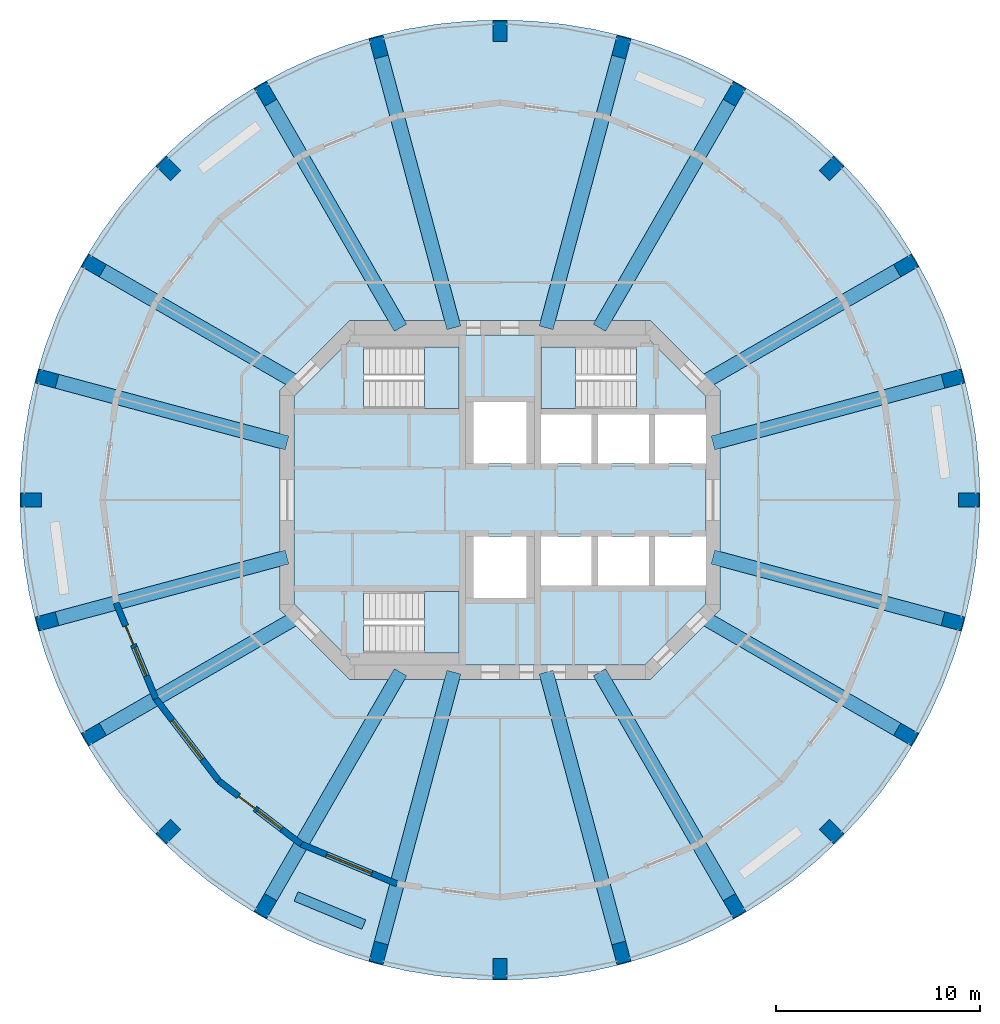
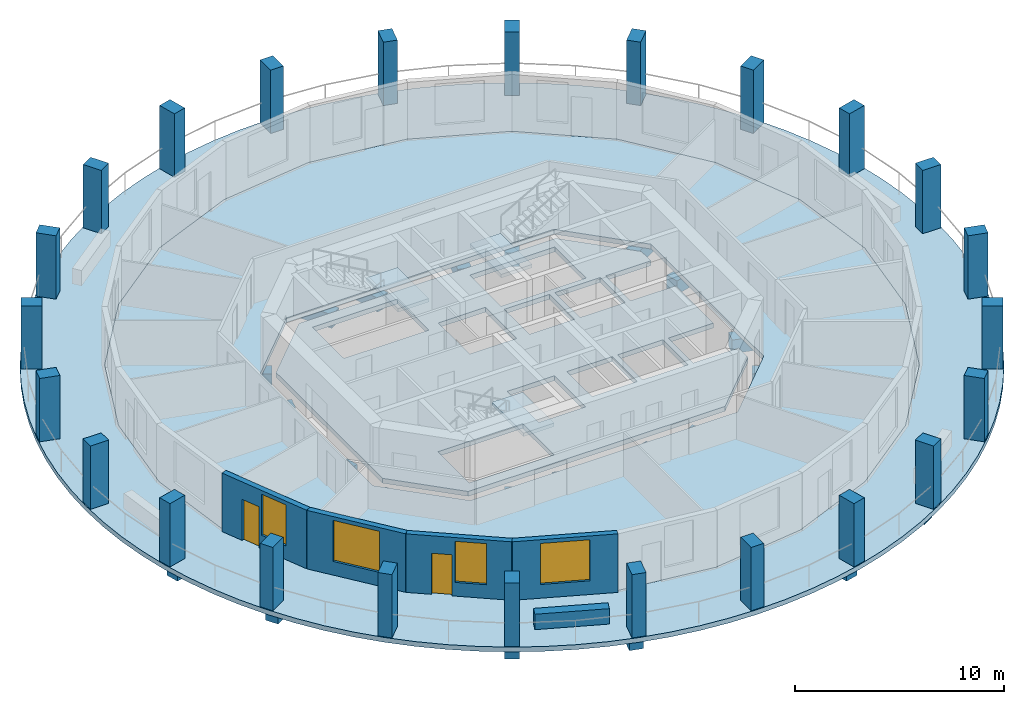
# One storey, part 1 of 8: 24 columns, 16 beams, 6 slabs, 5 walls, 4 windows, 2 doors, 6 openings, 3 elements without a shape of their own.
"""IFC4 building model written with IfcOpenShell, lengths in metres."""

from ifc_helpers import new_model, si_unit, direction, frame, frame_2d, origin, origin_2d, place, context, subcontext, project, spatial, polyline, rectangle, outline, extrude, material, layer, layer_set, material_profile, profile_set, type_object, element, fill, aggregate, save


model = new_model("IFC4")

# Units and contexts
model_context = context("Model", 3, precision=1e-05, world=origin(), true_north=direction((0.0, 1.0)))
body_context = subcontext(model_context, "Body", "Model", "MODEL_VIEW")
ifc_project = project(units=[si_unit("LENGTHUNIT", "METRE"), si_unit("AREAUNIT", "SQUARE_METRE"), si_unit("VOLUMEUNIT", "CUBIC_METRE"), si_unit("PLANEANGLEUNIT", "RADIAN"), si_unit("MASSUNIT", "GRAM", prefix="KILO")], contexts=[model_context])

# Site, building, storey
site_placement = place(None, origin())
site = spatial("IfcSite", under=ifc_project, at=site_placement, CompositionType="ELEMENT")
building_placement = place(site_placement, origin())
building = spatial("IfcBuilding", under=site, at=building_placement, Name="Torre Triforio", CompositionType="ELEMENT")
storey_placement = place(building_placement, frame((0.0, 0.0, 192.800048828125)))
storey = spatial("IfcBuildingStorey", under=building, at=storey_placement, Name="L43", CompositionType="ELEMENT", Elevation=192.800048828125)

# Columns
ifc_material_1 = material(Name="Concrete C50", Category="concrete")
ifc_material_profile_1 = material_profile(ifc_material_1, rectangle(XDim=0.699951171875, YDim=1.0, at=origin_2d()), Name="RC 700x1000")
ifc_profile_set_1 = profile_set([ifc_material_profile_1], Name="Concrete C50")
column_type = type_object("IfcColumnType", Name="Pier RC 700x1000 C50", PredefinedType="COLUMN", material=ifc_profile_set_1)
for number, where, z_axis, x_axis, name in (
    (1, (23.0, 0.0, 0.0), (0.0, 0.0, 1.0), (0.0, 1.0, 0.0), "COL.R.L43.00"),
    (2, (22.21630859375, 5.952880859375, 0.0), (0.0, 0.0, 1.0), (-0.258819045103, 0.965925826289, 0.0), "COL.R.L43.01"),
    (3, (19.918701171875, 11.5, 0.0), (0.0, 0.0, 1.0), (-0.5, 0.866025403784, 0.0), "COL.R.L43.02"),
    (4, (16.263427734375, 16.263427734375, 0.0), (0.0, 0.0, 1.0), (-0.707106781187, 0.707106781187, 0.0), "COL.R.L43.03"),
    (5, (11.5, 19.918701171875, 0.0), (0.0, 0.0, 1.0), (-0.866025403784, 0.5, 0.0), "COL.R.L43.04"),
    (6, (5.952880859375, 22.21630859375, 0.0), (0.0, 0.0, 1.0), (-0.965925826289, 0.258819045103, 0.0), "COL.R.L43.05"),
    (7, (0.0, 23.0, 0.0), (0.0, 0.0, 1.0), (-1.0, 0.0, 0.0), "COL.R.L43.06"),
    (8, (-5.952880859375, 22.21630859375, 0.0), (0.0, 0.0, 1.0), (-0.965925826289, -0.258819045103, 0.0), "COL.R.L43.07"),
    (9, (-11.5, 19.918701171875, 0.0), (0.0, 0.0, 1.0), (-0.866025403784, -0.5, 0.0), "COL.R.L43.08"),
    (10, (-16.263427734375, 16.263427734375, 0.0), (0.0, 0.0, 1.0), (-0.707106781187, -0.707106781187, 0.0), "COL.R.L43.09"),
    (11, (-19.918701171875, 11.5, 0.0), (0.0, 0.0, 1.0), (-0.5, -0.866025403784, 0.0), "COL.R.L43.10"),
    (12, (-22.21630859375, 5.952880859375, 0.0), (0.0, 0.0, 1.0), (-0.258819045103, -0.965925826289, 0.0), "COL.R.L43.11"),
    (13, (-23.0, 0.0, 0.0), (0.0, 0.0, 1.0), (0.0, -1.0, 0.0), "COL.R.L43.12"),
    (14, (-22.21630859375, -5.952880859375, 0.0), (0.0, 0.0, 1.0), (0.258819045103, -0.965925826289, 0.0), "COL.R.L43.13"),
    (15, (-19.918701171875, -11.5, 0.0), (0.0, 0.0, 1.0), (0.5, -0.866025403784, 0.0), "COL.R.L43.14"),
    (16, (-16.263427734375, -16.263427734375, 0.0), (0.0, 0.0, 1.0), (0.707106781187, -0.707106781187, 0.0), "COL.R.L43.15"),
    (17, (-11.5, -19.918701171875, 0.0), (0.0, 0.0, 1.0), (0.866025403784, -0.5, 0.0), "COL.R.L43.16"),
    (18, (-5.952880859375, -22.21630859375, 0.0), (0.0, 0.0, 1.0), (0.965925826289, -0.258819045103, 0.0), "COL.R.L43.17"),
    (19, (0.0, -23.0, 0.0), (0.0, 0.0, 1.0), (1.0, 0.0, 0.0), "COL.R.L43.18"),
    (20, (5.952880859375, -22.21630859375, 0.0), (0.0, 0.0, 1.0), (0.965925826289, 0.258819045103, 0.0), "COL.R.L43.19"),
    (21, (11.5, -19.918701171875, 0.0), (0.0, 0.0, 1.0), (0.866025403784, 0.5, 0.0), "COL.R.L43.20"),
    (22, (16.263427734375, -16.263427734375, 0.0), (0.0, 0.0, 1.0), (0.707106781187, 0.707106781187, 0.0), "COL.R.L43.21"),
    (23, (19.918701171875, -11.5, 0.0), (0.0, 0.0, 1.0), (0.5, 0.866025403784, 0.0), "COL.R.L43.22"),
    (24, (22.21630859375, -5.952880859375, 0.0), (0.0, 0.0, 1.0), (0.258819045103, 0.965925826289, 0.0), "COL.R.L43.23"),
):
    element("IfcColumn", number, at=place(storey_placement, frame(where, z_axis=z_axis, x_axis=x_axis)), inside=storey, type_object=column_type, Name=name, PredefinedType="COLUMN", context=body_context, shape_type="SweptSolid", body=[
        extrude(rectangle(XDim=0.699951171875, YDim=1.0, at=origin_2d()), origin(), (0.0, 0.0, 1.0), 3.699951171875),
    ])

# Beams
ifc_material_2 = material(Name="Concrete C40", Category="concrete")
ifc_material_profile_2 = material_profile(ifc_material_2, rectangle(XDim=0.699951171875, YDim=0.800048828125, at=origin_2d()), Name="RC 700x800")
ifc_profile_set_2 = profile_set([ifc_material_profile_2], Name="Concrete C40")
beam_type = type_object("IfcBeamType", Name="Radial beam RC 700x800 C40", PredefinedType="BEAM", material=ifc_profile_set_2)
beam_1_placement = place(storey_placement, frame((10.449951171875, 2.800048828125, -0.679931640625), z_axis=(0.965924880947, 0.258822573141, 0.0), x_axis=(-0.258822573141, 0.965924880947, 0.0)))
element("IfcBeam", 25, at=beam_1_placement, inside=storey, type_object=beam_type, Name="BM.R.L43.01", PredefinedType="BEAM", context=body_context, shape_type="SweptSolid", body=[
    extrude(rectangle(XDim=0.699951171875, YDim=0.800048828125, at=origin_2d()), origin(), (0.0, 0.0, 1.0), 12.181396484375),
])
beam_2_placement = place(storey_placement, frame((9.9501953125, 5.744873046875, -0.679931640625), z_axis=(0.866032648629, 0.499987451351, 0.0), x_axis=(-0.499987451351, 0.866032648629, 0.0)))
element("IfcBeam", 26, at=beam_2_placement, inside=storey, type_object=beam_type, Name="BM.R.L43.02", PredefinedType="BEAM", context=body_context, shape_type="SweptSolid", body=[
    extrude(rectangle(XDim=0.699951171875, YDim=0.800048828125, at=origin_2d()), origin(), (0.0, 0.0, 1.0), 11.510498046875),
])
beam_3_placement = place(storey_placement, frame((4.878662109375, 8.449951171875, -0.679931640625), z_axis=(0.499991617607, 0.866030243307, 0.0), x_axis=(-0.866030243307, 0.499991617607, 0.0)))
element("IfcBeam", 27, at=beam_3_placement, inside=storey, type_object=beam_type, Name="BM.R.L43.04", PredefinedType="BEAM", context=body_context, shape_type="SweptSolid", body=[
    extrude(rectangle(XDim=0.699951171875, YDim=0.800048828125, at=origin_2d()), origin(), (0.0, 0.0, 1.0), 13.242919921875),
])
for number, where, z_axis, x_axis, name in (
    (28, (2.26416015625, 8.449951171875, -0.679931640625), (0.258821424719, 0.96592518867, 0.0), (-0.96592518867, 0.258821424719, 0.0), "BM.R.L43.05"),
    (29, (-2.26416015625, 8.449951171875, -0.679931640625), (-0.258821424719, 0.96592518867, 0.0), (-0.96592518867, -0.258821424719, 0.0), "BM.R.L43.07"),
):
    element("IfcBeam", number, at=place(storey_placement, frame(where, z_axis=z_axis, x_axis=x_axis)), inside=storey, type_object=beam_type, Name=name, PredefinedType="BEAM", context=body_context, shape_type="SweptSolid", body=[
        extrude(rectangle(XDim=0.699951171875, YDim=0.800048828125, at=origin_2d()), origin(), (0.0, 0.0, 1.0), 14.251953125),
    ])
beam_4_placement = place(storey_placement, frame((-4.878662109375, 8.449951171875, -0.679931640625), z_axis=(-0.499991617607, 0.866030243307, 0.0), x_axis=(-0.866030243307, -0.499991617607, 0.0)))
element("IfcBeam", 30, at=beam_4_placement, inside=storey, type_object=beam_type, Name="BM.R.L43.08", PredefinedType="BEAM", context=body_context, shape_type="SweptSolid", body=[
    extrude(rectangle(XDim=0.699951171875, YDim=0.800048828125, at=origin_2d()), origin(), (0.0, 0.0, 1.0), 13.242919921875),
])
beam_5_placement = place(storey_placement, frame((-9.9501953125, 5.744873046875, -0.679931640625), z_axis=(-0.866032648629, 0.499987451351, 0.0), x_axis=(-0.499987451351, -0.866032648629, 0.0)))
element("IfcBeam", 31, at=beam_5_placement, inside=storey, type_object=beam_type, Name="BM.R.L43.10", PredefinedType="BEAM", context=body_context, shape_type="SweptSolid", body=[
    extrude(rectangle(XDim=0.699951171875, YDim=0.800048828125, at=origin_2d()), origin(), (0.0, 0.0, 1.0), 11.510498046875),
])
for number, where, z_axis, x_axis, name in (
    (32, (-10.449951171875, 2.800048828125, -0.679931640625), (-0.965924880947, 0.258822573141, 0.0), (-0.258822573141, -0.965924880947, 0.0), "BM.R.L43.11"),
    (33, (-10.449951171875, -2.800048828125, -0.679931640625), (-0.965924880947, -0.258822573141, 0.0), (0.258822573141, -0.965924880947, 0.0), "BM.R.L43.13"),
):
    element("IfcBeam", number, at=place(storey_placement, frame(where, z_axis=z_axis, x_axis=x_axis)), inside=storey, type_object=beam_type, Name=name, PredefinedType="BEAM", context=body_context, shape_type="SweptSolid", body=[
        extrude(rectangle(XDim=0.699951171875, YDim=0.800048828125, at=origin_2d()), origin(), (0.0, 0.0, 1.0), 12.181396484375),
    ])
beam_6_placement = place(storey_placement, frame((-9.9501953125, -5.744873046875, -0.679931640625), z_axis=(-0.866032648629, -0.499987451351, 0.0), x_axis=(0.499987451351, -0.866032648629, 0.0)))
element("IfcBeam", 34, at=beam_6_placement, inside=storey, type_object=beam_type, Name="BM.R.L43.14", PredefinedType="BEAM", context=body_context, shape_type="SweptSolid", body=[
    extrude(rectangle(XDim=0.699951171875, YDim=0.800048828125, at=origin_2d()), origin(), (0.0, 0.0, 1.0), 11.510498046875),
])
beam_7_placement = place(storey_placement, frame((-4.878662109375, -8.449951171875, -0.679931640625), z_axis=(-0.499991617607, -0.866030243307, 0.0), x_axis=(0.866030243307, -0.499991617607, 0.0)))
element("IfcBeam", 35, at=beam_7_placement, inside=storey, type_object=beam_type, Name="BM.R.L43.16", PredefinedType="BEAM", context=body_context, shape_type="SweptSolid", body=[
    extrude(rectangle(XDim=0.699951171875, YDim=0.800048828125, at=origin_2d()), origin(), (0.0, 0.0, 1.0), 13.242919921875),
])
for number, where, z_axis, x_axis, name in (
    (36, (-2.26416015625, -8.449951171875, -0.679931640625), (-0.258821424719, -0.96592518867, 0.0), (0.96592518867, -0.258821424719, 0.0), "BM.R.L43.17"),
    (37, (2.26416015625, -8.449951171875, -0.679931640625), (0.258821424719, -0.96592518867, 0.0), (0.96592518867, 0.258821424719, 0.0), "BM.R.L43.19"),
):
    element("IfcBeam", number, at=place(storey_placement, frame(where, z_axis=z_axis, x_axis=x_axis)), inside=storey, type_object=beam_type, Name=name, PredefinedType="BEAM", context=body_context, shape_type="SweptSolid", body=[
        extrude(rectangle(XDim=0.699951171875, YDim=0.800048828125, at=origin_2d()), origin(), (0.0, 0.0, 1.0), 14.251953125),
    ])
beam_8_placement = place(storey_placement, frame((4.878662109375, -8.449951171875, -0.679931640625), z_axis=(0.499991617607, -0.866030243307, 0.0), x_axis=(0.866030243307, 0.499991617607, 0.0)))
element("IfcBeam", 38, at=beam_8_placement, inside=storey, type_object=beam_type, Name="BM.R.L43.20", PredefinedType="BEAM", context=body_context, shape_type="SweptSolid", body=[
    extrude(rectangle(XDim=0.699951171875, YDim=0.800048828125, at=origin_2d()), origin(), (0.0, 0.0, 1.0), 13.242919921875),
])
beam_9_placement = place(storey_placement, frame((9.9501953125, -5.744873046875, -0.679931640625), z_axis=(0.866032648629, -0.499987451351, 0.0), x_axis=(0.499987451351, 0.866032648629, 0.0)))
element("IfcBeam", 39, at=beam_9_placement, inside=storey, type_object=beam_type, Name="BM.R.L43.22", PredefinedType="BEAM", context=body_context, shape_type="SweptSolid", body=[
    extrude(rectangle(XDim=0.699951171875, YDim=0.800048828125, at=origin_2d()), origin(), (0.0, 0.0, 1.0), 11.510498046875),
])
beam_10_placement = place(storey_placement, frame((10.449951171875, -2.800048828125, -0.679931640625), z_axis=(0.965924880947, -0.258822573141, 0.0), x_axis=(0.258822573141, 0.965924880947, 0.0)))
element("IfcBeam", 40, at=beam_10_placement, inside=storey, type_object=beam_type, Name="BM.R.L43.23", PredefinedType="BEAM", context=body_context, shape_type="SweptSolid", body=[
    extrude(rectangle(XDim=0.699951171875, YDim=0.800048828125, at=origin_2d()), origin(), (0.0, 0.0, 1.0), 12.181396484375),
])

# Slabs
ifc_layer_1 = layer(ifc_material_1, 0.280029296875)
ifc_layer_set_1 = layer_set([ifc_layer_1], Name="Concrete C50")
slab_type_1 = type_object("IfcSlabType", Name="Core floor slab 280 mm C50 REI 120", PredefinedType="FLOOR", material=ifc_layer_set_1)
slab_1_placement = place(storey_placement, frame((0.0, 0.0, -0.280029296875)))
element("IfcSlab", 41, at=slab_1_placement, inside=storey, type_object=slab_type_1, Name="Core floor slab", PredefinedType="FLOOR", context=body_context, shape_type="SweptSolid", body=[
    extrude(outline(polyline([(10.10009765625, -5.10009765625), (7.10009765625, -8.10009765625), (-7.10009765625, -8.10009765625), (-10.10009765625, -5.10009765625), (-10.10009765625, 5.10009765625), (-7.10009765625, 8.10009765625), (7.10009765625, 8.10009765625), (10.10009765625, 5.10009765625), (10.10009765625, 4.199951171875), (7.60009765625, 4.199951171875), (7.60009765625, 1.800048828125), (10.10009765625, 1.800048828125), (10.10009765625, -1.800048828125), (7.60009765625, -1.800048828125), (7.60009765625, -4.199951171875), (10.10009765625, -4.199951171875), (10.10009765625, -5.10009765625)]), holes=[polyline([(-6.696044921875, -4.5), (-6.696044921875, -7.5), (-2.0, -7.5), (-2.0, -4.5), (-6.696044921875, -4.5)]), polyline([(-1.300048828125, -1.800048828125), (-1.300048828125, -4.800048828125), (1.300048828125, -4.800048828125), (1.300048828125, -1.800048828125), (-1.300048828125, -1.800048828125)]), polyline([(2.0, -1.800048828125), (2.0, -4.199951171875), (4.5, -4.199951171875), (4.5, -1.800048828125), (2.0, -1.800048828125)]), polyline([(4.5, 4.199951171875), (2.0, 4.199951171875), (2.0, 1.800048828125), (4.5, 1.800048828125), (4.5, 4.199951171875)]), polyline([(1.300048828125, 4.800048828125), (-1.300048828125, 4.800048828125), (-1.300048828125, 1.800048828125), (1.300048828125, 1.800048828125), (1.300048828125, 4.800048828125)]), polyline([(-6.696044921875, 7.5), (-6.696044921875, 4.5), (-2.0, 4.5), (-2.0, 7.5), (-6.696044921875, 7.5)]), polyline([(7.300048828125, -1.800048828125), (4.800048828125, -1.800048828125), (4.800048828125, -4.199951171875), (7.300048828125, -4.199951171875), (7.300048828125, -1.800048828125)]), polyline([(4.800048828125, 4.199951171875), (4.800048828125, 1.800048828125), (7.300048828125, 1.800048828125), (7.300048828125, 4.199951171875), (4.800048828125, 4.199951171875)]), polyline([(6.696044921875, 7.5), (2.0, 7.5), (2.0, 4.5), (6.696044921875, 4.5), (6.696044921875, 7.5)])]), origin(), (0.0, 0.0, 1.0), 0.280029296875),
])
ifc_layer_2 = layer(ifc_material_2, 0.280029296875)
ifc_layer_set_2 = layer_set([ifc_layer_2], Name="Concrete C40")
slab_type_2 = type_object("IfcSlabType", Name="Floor slab 280 C40", PredefinedType="FLOOR", material=ifc_layer_set_2)
slab_2_placement = place(storey_placement, frame((0.0, 0.0, -0.280029296875)))
element("IfcSlab", 42, at=slab_2_placement, inside=storey, type_object=slab_type_2, Name="SL.L43", PredefinedType="FLOOR", context=body_context, shape_type="SweptSolid", body=[
    extrude(outline(polyline([(16.887451171875, -9.75), (18.83544921875, -5.046875), (19.5, 0.0), (18.83544921875, 5.046875), (16.887451171875, 9.75), (13.78857421875, 13.78857421875), (9.75, 16.887451171875), (5.046875, 18.83544921875), (0.0, 19.5), (-5.046875, 18.83544921875), (-9.75, 16.887451171875), (-13.78857421875, 13.78857421875), (-16.887451171875, 9.75), (-18.83544921875, 5.046875), (-19.5, 0.0), (-18.83544921875, -5.046875), (-16.887451171875, -9.75), (-13.78857421875, -13.78857421875), (-9.75, -16.887451171875), (-5.046875, -18.83544921875), (0.0, -19.5), (5.046875, -18.83544921875), (9.75, -16.887451171875), (13.78857421875, -13.78857421875), (16.887451171875, -9.75)]), holes=[polyline([(10.800048828125, 5.389892578125), (10.800048828125, -5.389892578125), (7.389892578125, -8.800048828125), (-7.389892578125, -8.800048828125), (-10.800048828125, -5.389892578125), (-10.800048828125, 5.389892578125), (-7.389892578125, 8.800048828125), (7.389892578125, 8.800048828125), (10.800048828125, 5.389892578125)])]), origin(), (0.0, 0.0, 1.0), 0.280029296875),
])
ifc_layer_3 = layer(ifc_material_2, 0.280029296875)
ifc_layer_set_3 = layer_set([ifc_layer_3], Name="Concrete C40")
slab_type_3 = type_object("IfcSlabType", Name="Loggia slab 280 C40", PredefinedType="FLOOR", material=ifc_layer_set_3)
slab_3_placement = place(storey_placement, frame((0.0, 0.0, -0.280029296875)))
element("IfcSlab", 43, at=slab_3_placement, inside=storey, type_object=slab_type_3, Name="SL.L43.LG", PredefinedType="FLOOR", context=body_context, shape_type="SweptSolid", body=[
    extrude(outline(polyline([(23.49951171875, -1.540283203125), (23.550048828125, 0.0), (23.49951171875, 1.540283203125), (23.3486328125, 3.073974609375), (23.097412109375, 4.594482421875), (22.74755859375, 6.09521484375), (22.30029296875, 7.56982421875), (21.75732421875, 9.01220703125), (21.121337890625, 10.416015625), (20.39501953125, 11.77490234375), (19.5810546875, 13.083740234375), (18.683349609375, 14.33642578125), (17.705810546875, 15.527587890625), (16.65234375, 16.65234375), (15.527587890625, 17.705810546875), (14.33642578125, 18.683349609375), (13.083740234375, 19.5810546875), (11.77490234375, 20.39501953125), (10.416015625, 21.121337890625), (9.01220703125, 21.75732421875), (7.56982421875, 22.30029296875), (6.09521484375, 22.74755859375), (4.594482421875, 23.097412109375), (3.073974609375, 23.3486328125), (1.540283203125, 23.49951171875), (0.0, 23.550048828125), (-1.540283203125, 23.49951171875), (-3.073974609375, 23.3486328125), (-4.594482421875, 23.097412109375), (-6.09521484375, 22.74755859375), (-7.56982421875, 22.30029296875), (-9.01220703125, 21.75732421875), (-10.416015625, 21.121337890625), (-11.77490234375, 20.39501953125), (-13.083740234375, 19.5810546875), (-14.33642578125, 18.683349609375), (-15.527587890625, 17.705810546875), (-16.65234375, 16.65234375), (-17.705810546875, 15.527587890625), (-18.683349609375, 14.33642578125), (-19.5810546875, 13.083740234375), (-20.39501953125, 11.77490234375), (-21.121337890625, 10.416015625), (-21.75732421875, 9.01220703125), (-22.30029296875, 7.56982421875), (-22.74755859375, 6.09521484375), (-23.097412109375, 4.594482421875), (-23.3486328125, 3.073974609375), (-23.49951171875, 1.540283203125), (-23.550048828125, 0.0), (-23.49951171875, -1.540283203125), (-23.3486328125, -3.073974609375), (-23.097412109375, -4.594482421875), (-22.74755859375, -6.09521484375), (-22.30029296875, -7.56982421875), (-21.75732421875, -9.01220703125), (-21.121337890625, -10.416015625), (-20.39501953125, -11.77490234375), (-19.5810546875, -13.083740234375), (-18.683349609375, -14.33642578125), (-17.705810546875, -15.527587890625), (-16.65234375, -16.65234375), (-15.527587890625, -17.705810546875), (-14.33642578125, -18.683349609375), (-13.083740234375, -19.5810546875), (-11.77490234375, -20.39501953125), (-10.416015625, -21.121337890625), (-9.01220703125, -21.75732421875), (-7.56982421875, -22.30029296875), (-6.09521484375, -22.74755859375), (-4.594482421875, -23.097412109375), (-3.073974609375, -23.3486328125), (-1.540283203125, -23.49951171875), (0.0, -23.550048828125), (1.540283203125, -23.49951171875), (3.073974609375, -23.3486328125), (4.594482421875, -23.097412109375), (6.09521484375, -22.74755859375), (7.56982421875, -22.30029296875), (9.01220703125, -21.75732421875), (10.416015625, -21.121337890625), (11.77490234375, -20.39501953125), (13.083740234375, -19.5810546875), (14.33642578125, -18.683349609375), (15.527587890625, -17.705810546875), (16.65234375, -16.65234375), (17.705810546875, -15.527587890625), (18.683349609375, -14.33642578125), (19.5810546875, -13.083740234375), (20.39501953125, -11.77490234375), (21.121337890625, -10.416015625), (21.75732421875, -9.01220703125), (22.30029296875, -7.56982421875), (22.74755859375, -6.09521484375), (23.097412109375, -4.594482421875), (23.3486328125, -3.073974609375), (23.49951171875, -1.540283203125)]), holes=[polyline([(18.83544921875, 5.046875), (19.5, 0.0), (18.83544921875, -5.046875), (16.887451171875, -9.75), (13.78857421875, -13.78857421875), (9.75, -16.887451171875), (5.046875, -18.83544921875), (0.0, -19.5), (-5.046875, -18.83544921875), (-9.75, -16.887451171875), (-13.78857421875, -13.78857421875), (-16.887451171875, -9.75), (-18.83544921875, -5.046875), (-19.5, 0.0), (-18.83544921875, 5.046875), (-16.887451171875, 9.75), (-13.78857421875, 13.78857421875), (-9.75, 16.887451171875), (-5.046875, 18.83544921875), (0.0, 19.5), (5.046875, 18.83544921875), (9.75, 16.887451171875), (13.78857421875, 13.78857421875), (16.887451171875, 9.75), (18.83544921875, 5.046875)])]), origin(), (0.0, 0.0, 1.0), 0.280029296875),
])

# Stair, slab
stair_type = type_object("IfcStairType", Name="STAIR HALF-TURN", PredefinedType="HALF_TURN_STAIR", material=ifc_material_2)
stair_1_placement = place(storey_placement, origin())
stair_1 = element("IfcStair", 44, at=stair_1_placement, inside=storey, type_object=stair_type, Name="Exit stair 1", PredefinedType="HALF_TURN_STAIR")
ifc_layer_4 = layer(ifc_material_2, 0.199951171875)
ifc_layer_set_4 = layer_set([ifc_layer_4], Name="Concrete C40")
slab_type_4 = type_object("IfcSlabType", Name="STAIR LANDING 200", PredefinedType="LANDING", material=ifc_layer_set_4)
slab_4_placement = place(storey_placement, frame((0.0, 0.0, 1.64990234375)))
slab_4 = element("IfcSlab", 45, at=slab_4_placement, type_object=slab_type_4, Name="ST1 landing 1", PredefinedType="LANDING", context=body_context, shape_type="SweptSolid", body=[
    extrude(outline(polyline([(-2.0, 4.5), (-2.0, 7.5), (-3.699951171875, 7.5), (-3.699951171875, 4.5), (-2.0, 4.5)])), origin(), (0.0, 0.0, 1.0), 0.199951171875),
])
aggregate(stair_1, [slab_4])

stair_2_placement = place(storey_placement, origin())
stair_2 = element("IfcStair", 46, at=stair_2_placement, inside=storey, type_object=stair_type, Name="Exit stair 2", PredefinedType="HALF_TURN_STAIR")
slab_5_placement = place(storey_placement, frame((0.0, 0.0, 1.64990234375)))
slab_5 = element("IfcSlab", 47, at=slab_5_placement, type_object=slab_type_4, Name="ST2 landing 1", PredefinedType="LANDING", context=body_context, shape_type="SweptSolid", body=[
    extrude(outline(polyline([(3.699951171875, 4.5), (3.699951171875, 7.5), (2.0, 7.5), (2.0, 4.5), (3.699951171875, 4.5)])), origin(), (0.0, 0.0, 1.0), 0.199951171875),
])
aggregate(stair_2, [slab_5])

stair_3_placement = place(storey_placement, origin())
stair_3 = element("IfcStair", 48, at=stair_3_placement, inside=storey, type_object=stair_type, Name="Exit stair 3", PredefinedType="HALF_TURN_STAIR")
slab_6_placement = place(storey_placement, frame((0.0, 0.0, 1.64990234375)))
slab_6 = element("IfcSlab", 49, at=slab_6_placement, type_object=slab_type_4, Name="ST3 landing 1", PredefinedType="LANDING", context=body_context, shape_type="SweptSolid", body=[
    extrude(outline(polyline([(-2.0, -7.5), (-2.0, -4.5), (-3.699951171875, -4.5), (-3.699951171875, -7.5), (-2.0, -7.5)])), origin(), (0.0, 0.0, 1.0), 0.199951171875),
])
aggregate(stair_3, [slab_6])

# Wall
ifc_material_3 = material(Name="Limestone cladding", Category="masonry")
ifc_layer_5 = layer(ifc_material_3, 0.10009765625)
ifc_layer_6 = layer(ifc_material_2, 0.39990234375)
ifc_layer_set_5 = layer_set([ifc_layer_5, ifc_layer_6], Name="Limestone cladding / Concrete C40")
wall_type_1 = type_object("IfcWallType", Name="Planter wall 500", PredefinedType="PARAPET", material=ifc_layer_set_5)
wall_1_placement = place(storey_placement, frame((-10.005615234375, -19.45166015625, 0.0), z_axis=(0.0, 0.0, 1.0), x_axis=(0.923885420167, -0.382669217998, 0.0)))
element("IfcWall", 50, at=wall_1_placement, inside=storey, type_object=wall_type_1, Name="Planter L43 bay 17", PredefinedType="PARAPET", context=body_context, shape_type="SweptSolid", body=[
    extrude(rectangle(XDim=3.60009765625, YDim=0.5, at=frame_2d((1.800048828125, 0.0))), origin(), (0.0, 0.0, 1.0), 0.89990234375),
])

# Wall, openings, door, window
ifc_layer_7 = layer(ifc_material_3, 0.10009765625)
ifc_layer_8 = layer(ifc_material_2, 0.199951171875)
ifc_layer_set_6 = layer_set([ifc_layer_7, ifc_layer_8], Name="Limestone cladding / Concrete C40")
wall_type_2 = type_object("IfcWallType", Name="Stone-faced composite wall 300", PredefinedType="STANDARD", material=ifc_layer_set_6)
wall_2_placement = place(storey_placement, frame((-18.835693359375, -5.047119140625, 0.0), z_axis=(0.0, 0.0, 1.0), x_axis=(0.382724538613, -0.923862504675, 0.0)))
wall_2 = element("IfcWall", 51, at=wall_2_placement, inside=storey, type_object=wall_type_2, Name="External wall L43 bay 14", PredefinedType="STANDARD", context=body_context, shape_type="SweptSolid", body=[
    extrude(rectangle(XDim=5.090576171875, YDim=0.300048828125, at=frame_2d((2.54541015625, 0.0))), origin(), (0.0, 0.0, 1.0), 3.419921875),
])
opening_1_placement = place(wall_2_placement, frame((1.22021484375, 0.0, 0.0)))
opening_1 = element("IfcOpeningElement", 52, at=opening_1_placement, cuts=wall_2, Name="Opening O4-D14", PredefinedType="OPENING", context=body_context, shape_type="SweptSolid", body=[
    extrude(rectangle(XDim=1.0, YDim=2.39990234375, at=frame_2d((0.5, 1.199951171875))), frame((0.0, 0.159912109375, 0.0), z_axis=(0.0, -1.0, 0.0), x_axis=(1.0, 0.0, 0.0)), (0.0, 0.0, 1.0), 0.320068359375),
])
opening_2_placement = place(wall_2_placement, frame((2.370361328125, 0.0, 0.800048828125)))
opening_2 = element("IfcOpeningElement", 53, at=opening_2_placement, cuts=wall_2, Name="Opening O4-W14A", PredefinedType="OPENING", context=body_context, shape_type="SweptSolid", body=[
    extrude(rectangle(XDim=1.5, YDim=2.39990234375, at=frame_2d((0.75, 1.199951171875))), frame((0.0, 0.159912109375, 0.0), z_axis=(0.0, -1.0, 0.0), x_axis=(1.0, 0.0, 0.0)), (0.0, 0.0, 1.0), 0.320068359375),
])
ifc_material_4 = material(Name="Aluminium frame with clear double glazing", Category="aluminium")
door_type = type_object("IfcDoorType", Name="Loggia door 1000 x 2400", OperationType="NOTDEFINED", PredefinedType="DOOR", material=ifc_material_4)
door_1_placement = place(opening_1_placement, origin())
door_1 = element("IfcDoor", 54, at=door_1_placement, inside=storey, type_object=door_type, Name="Loggia door L43 bay 14", OperationType="SINGLE_SWING_LEFT", OverallHeight=2.39990234375, OverallWidth=1.0, PredefinedType="DOOR", context=body_context, shape_type="SweptSolid", body=[
    extrude(rectangle(XDim=1.0, YDim=2.39990234375, at=frame_2d((0.5, 1.199951171875))), frame((0.0, 0.02490234375, 0.0), z_axis=(0.0, -1.0, 0.0), x_axis=(1.0, 0.0, 0.0)), (0.0, 0.0, 1.0), 0.050048828125),
])
fill(opening_1, door_1)
window_type_1 = type_object("IfcWindowType", Name="Side window 1500 x 2400", PartitioningType="SINGLE_PANEL", PredefinedType="WINDOW", material=ifc_material_4)
window_1_placement = place(opening_2_placement, origin())
window_1 = element("IfcWindow", 55, at=window_1_placement, inside=storey, type_object=window_type_1, Name="Side window EWN14 L43 bay 14", OverallHeight=2.39990234375, OverallWidth=1.5, PartitioningType="SINGLE_PANEL", PredefinedType="WINDOW", context=body_context, shape_type="SweptSolid", body=[
    extrude(rectangle(XDim=1.5, YDim=2.39990234375, at=frame_2d((0.75, 1.199951171875))), frame((0.0, 0.030029296875, 0.0), z_axis=(0.0, -1.0, 0.0), x_axis=(1.0, 0.0, 0.0)), (0.0, 0.0, 1.0), 0.06005859375),
])
fill(opening_2, window_1)

# Wall, opening, window
wall_3_placement = place(storey_placement, frame((-16.887451171875, -9.75, 0.0), z_axis=(0.0, 0.0, 1.0), x_axis=(0.608757714995, -0.79335619014, 0.0)))
wall_3 = element("IfcWall", 56, at=wall_3_placement, inside=storey, type_object=wall_type_2, Name="External wall L43 bay 15", PredefinedType="STANDARD", context=body_context, shape_type="SweptSolid", body=[
    extrude(rectangle(XDim=5.090576171875, YDim=0.300048828125, at=frame_2d((2.54541015625, 0.0))), origin(), (0.0, 0.0, 1.0), 3.419921875),
])
opening_3_placement = place(wall_3_placement, frame((1.34521484375, 0.0, 0.800048828125)))
opening_3 = element("IfcOpeningElement", 57, at=opening_3_placement, cuts=wall_3, Name="Opening O4-W15", PredefinedType="OPENING", context=body_context, shape_type="SweptSolid", body=[
    extrude(rectangle(XDim=2.39990234375, YDim=2.39990234375, at=frame_2d((1.199951171875, 1.199951171875))), frame((0.0, 0.159912109375, 0.0), z_axis=(0.0, -1.0, 0.0), x_axis=(1.0, 0.0, 0.0)), (0.0, 0.0, 1.0), 0.320068359375),
])
window_type_2 = type_object("IfcWindowType", Name="Punched window 2400 x 2400", PartitioningType="DOUBLE_PANEL_VERTICAL", PredefinedType="WINDOW", material=ifc_material_4)
window_2_placement = place(opening_3_placement, origin())
window_2 = element("IfcWindow", 58, at=window_2_placement, inside=storey, type_object=window_type_2, Name="Window EWN4 L43 bay 15", OverallHeight=2.39990234375, OverallWidth=2.39990234375, PartitioningType="SINGLE_PANEL", PredefinedType="WINDOW", context=body_context, shape_type="SweptSolid", body=[
    extrude(rectangle(XDim=2.39990234375, YDim=2.39990234375, at=frame_2d((1.199951171875, 1.199951171875))), frame((0.0, 0.030029296875, 0.0), z_axis=(0.0, -1.0, 0.0), x_axis=(1.0, 0.0, 0.0)), (0.0, 0.0, 1.0), 0.06005859375),
])
fill(opening_3, window_2)

# Wall, openings, door, window
wall_4_placement = place(storey_placement, frame((-13.78857421875, -13.78857421875, 0.0), z_axis=(0.0, 0.0, 1.0), x_axis=(0.79335619014, -0.608757714995, 0.0)))
wall_4 = element("IfcWall", 59, at=wall_4_placement, inside=storey, type_object=wall_type_2, Name="External wall L43 bay 16", PredefinedType="STANDARD", context=body_context, shape_type="SweptSolid", body=[
    extrude(rectangle(XDim=5.090576171875, YDim=0.300048828125, at=frame_2d((2.54541015625, 0.0))), origin(), (0.0, 0.0, 1.0), 3.419921875),
])
opening_4_placement = place(wall_4_placement, frame((1.22021484375, 0.0, 0.0)))
opening_4 = element("IfcOpeningElement", 60, at=opening_4_placement, cuts=wall_4, Name="Opening O4-D16", PredefinedType="OPENING", context=body_context, shape_type="SweptSolid", body=[
    extrude(rectangle(XDim=1.0, YDim=2.39990234375, at=frame_2d((0.5, 1.199951171875))), frame((0.0, 0.159912109375, 0.0), z_axis=(0.0, -1.0, 0.0), x_axis=(1.0, 0.0, 0.0)), (0.0, 0.0, 1.0), 0.320068359375),
])
opening_5_placement = place(wall_4_placement, frame((2.370361328125, 0.0, 0.800048828125)))
opening_5 = element("IfcOpeningElement", 61, at=opening_5_placement, cuts=wall_4, Name="Opening O4-W16A", PredefinedType="OPENING", context=body_context, shape_type="SweptSolid", body=[
    extrude(rectangle(XDim=1.5, YDim=2.39990234375, at=frame_2d((0.75, 1.199951171875))), frame((0.0, 0.159912109375, 0.0), z_axis=(0.0, -1.0, 0.0), x_axis=(1.0, 0.0, 0.0)), (0.0, 0.0, 1.0), 0.320068359375),
])
door_2_placement = place(opening_4_placement, origin())
door_2 = element("IfcDoor", 62, at=door_2_placement, inside=storey, type_object=door_type, Name="Loggia door L43 bay 16", OperationType="SINGLE_SWING_LEFT", OverallHeight=2.39990234375, OverallWidth=1.0, PredefinedType="DOOR", context=body_context, shape_type="SweptSolid", body=[
    extrude(rectangle(XDim=1.0, YDim=2.39990234375, at=frame_2d((0.5, 1.199951171875))), frame((0.0, 0.02490234375, 0.0), z_axis=(0.0, -1.0, 0.0), x_axis=(1.0, 0.0, 0.0)), (0.0, 0.0, 1.0), 0.050048828125),
])
fill(opening_4, door_2)
window_3_placement = place(opening_5_placement, origin())
window_3 = element("IfcWindow", 63, at=window_3_placement, inside=storey, type_object=window_type_1, Name="Side window EWN14 L43 bay 16", OverallHeight=2.39990234375, OverallWidth=1.5, PartitioningType="SINGLE_PANEL", PredefinedType="WINDOW", context=body_context, shape_type="SweptSolid", body=[
    extrude(rectangle(XDim=1.5, YDim=2.39990234375, at=frame_2d((0.75, 1.199951171875))), frame((0.0, 0.030029296875, 0.0), z_axis=(0.0, -1.0, 0.0), x_axis=(1.0, 0.0, 0.0)), (0.0, 0.0, 1.0), 0.06005859375),
])
fill(opening_5, window_3)

# Wall, opening, window
wall_5_placement = place(storey_placement, frame((-9.75, -16.887451171875, 0.0), z_axis=(0.0, 0.0, 1.0), x_axis=(0.923862504675, -0.382724538613, 0.0)))
wall_5 = element("IfcWall", 64, at=wall_5_placement, inside=storey, type_object=wall_type_2, Name="External wall L43 bay 17", PredefinedType="STANDARD", context=body_context, shape_type="SweptSolid", body=[
    extrude(rectangle(XDim=5.090576171875, YDim=0.300048828125, at=frame_2d((2.54541015625, 0.0))), origin(), (0.0, 0.0, 1.0), 3.419921875),
])
opening_6_placement = place(wall_5_placement, frame((1.34521484375, 0.0, 0.800048828125)))
opening_6 = element("IfcOpeningElement", 65, at=opening_6_placement, cuts=wall_5, Name="Opening O4-W17", PredefinedType="OPENING", context=body_context, shape_type="SweptSolid", body=[
    extrude(rectangle(XDim=2.39990234375, YDim=2.39990234375, at=frame_2d((1.199951171875, 1.199951171875))), frame((0.0, 0.159912109375, 0.0), z_axis=(0.0, -1.0, 0.0), x_axis=(1.0, 0.0, 0.0)), (0.0, 0.0, 1.0), 0.320068359375),
])
window_4_placement = place(opening_6_placement, origin())
window_4 = element("IfcWindow", 66, at=window_4_placement, inside=storey, type_object=window_type_2, Name="Window EWN4 L43 bay 17", OverallHeight=2.39990234375, OverallWidth=2.39990234375, PartitioningType="SINGLE_PANEL", PredefinedType="WINDOW", context=body_context, shape_type="SweptSolid", body=[
    extrude(rectangle(XDim=2.39990234375, YDim=2.39990234375, at=frame_2d((1.199951171875, 1.199951171875))), frame((0.0, 0.030029296875, 0.0), z_axis=(0.0, -1.0, 0.0), x_axis=(1.0, 0.0, 0.0)), (0.0, 0.0, 1.0), 0.06005859375),
])
fill(opening_6, window_4)

save(model, "model.ifc")
